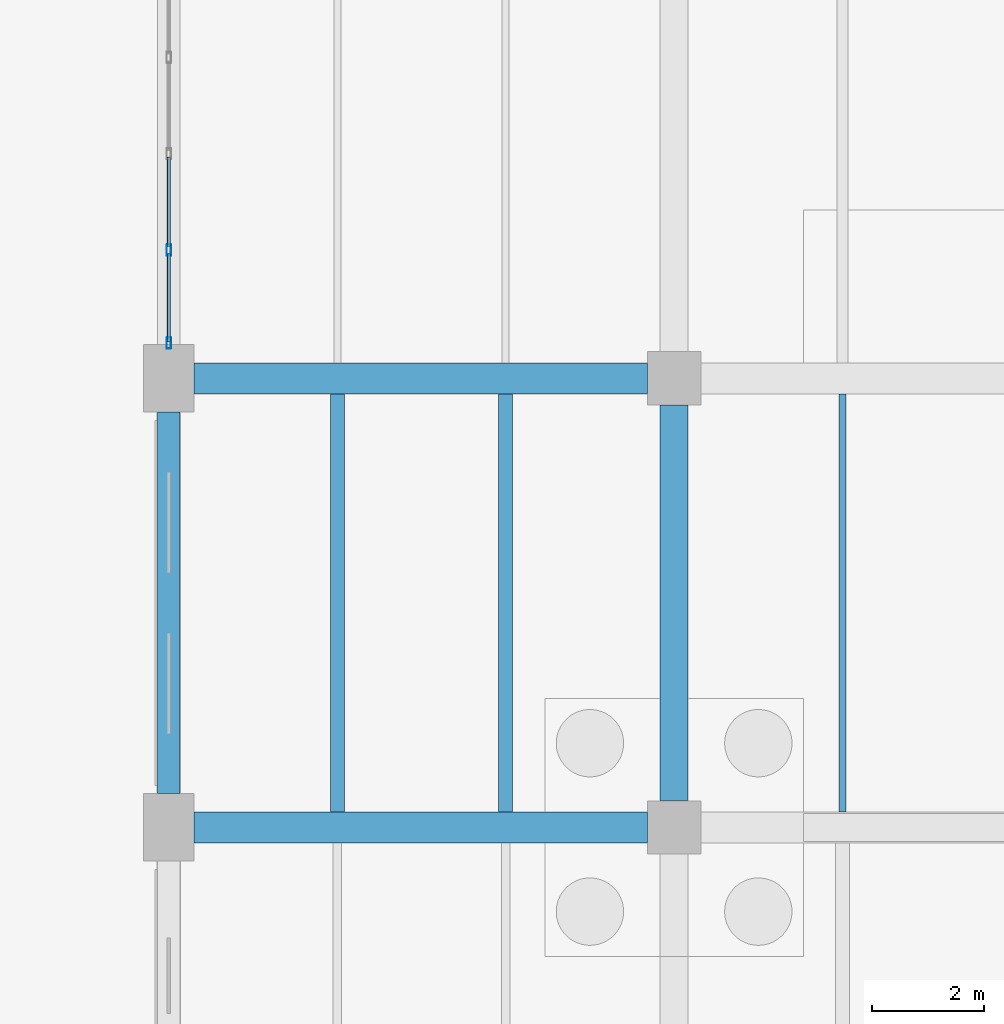
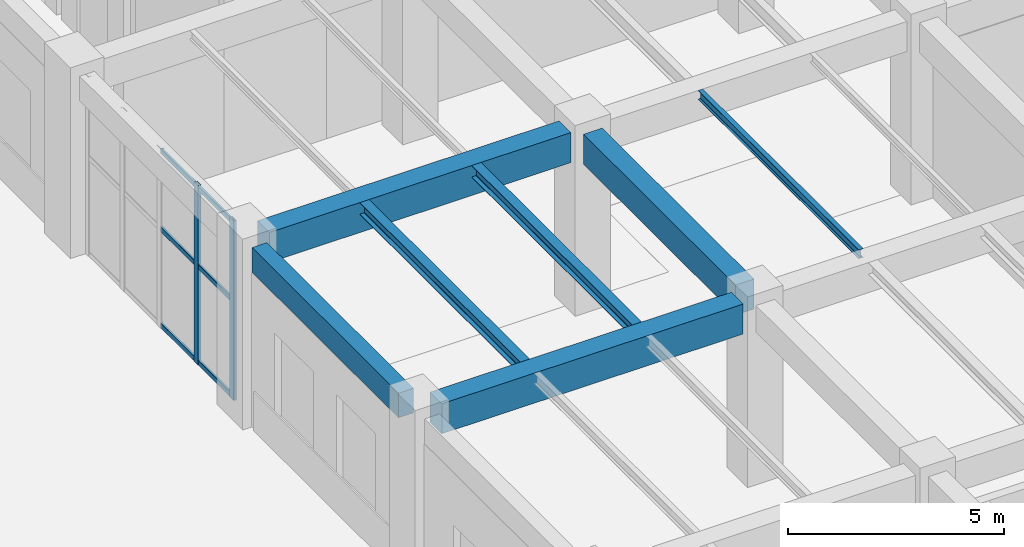
# One storey, part 66 of 121: 8 members, 7 beams, 1 element without a shape of its own.
"""IFC4 building model written with IfcOpenShell, lengths in metres."""

from ifc_helpers import new_model, si_unit, derived_unit, direction, frame, origin, origin_2d, place, context, subcontext, project, spatial, rectangle, hollow_rectangle, i_section, extrude, material, material_profile, profile_set, type_object, element, aggregate, save


model = new_model("IFC4")

# Units and contexts
model_context = context("Model", 3, precision=1e-05, world=origin(), true_north=direction((0.0, 1.0)))
body_context = subcontext(model_context, "Body", "Model", "MODEL_VIEW")
ifc_project = project(units=[si_unit("LENGTHUNIT", "METRE"), si_unit("AREAUNIT", "SQUARE_METRE"), si_unit("VOLUMEUNIT", "CUBIC_METRE"), si_unit("PLANEANGLEUNIT", "RADIAN"), si_unit("MASSUNIT", "GRAM", prefix="KILO"), derived_unit("THERMALTRANSMITTANCEUNIT", [(si_unit("MASSUNIT", "GRAM", prefix="KILO"), 1), (si_unit("TIMEUNIT", "SECOND"), -3), (si_unit("THERMODYNAMICTEMPERATUREUNIT", "KELVIN"), -1)])], contexts=[model_context])

# Site, building, storey
site_placement = place(None, origin())
site = spatial("IfcSite", under=ifc_project, at=site_placement, CompositionType="ELEMENT")
building_placement = place(site_placement, origin())
building = spatial("IfcBuilding", under=site, at=building_placement, Name="Zhenchuan Archway Interchange", CompositionType="ELEMENT")
storey_placement = place(building_placement, origin())
storey = spatial("IfcBuildingStorey", under=building, at=storey_placement, Name="L00", CompositionType="ELEMENT", Elevation=0.0)

# Beams
ifc_material_1 = material(Name="Concrete C40", Category="concrete")
ifc_material_profile_1 = material_profile(ifc_material_1, rectangle(XDim=0.5, YDim=0.85009765625, at=origin_2d()), Name="RC 500x850")
ifc_profile_set_1 = profile_set([ifc_material_profile_1], Name="Concrete C40")
beam_type_1 = type_object("IfcBeamType", Name="BM_RC_500x850", PredefinedType="BEAM", material=ifc_profile_set_1)
beam_1_placement = place(storey_placement, frame((153.0, 32.47509765625, 4.655029296875), z_axis=(0.0, 1.0, 0.0), x_axis=(-1.0, 0.0, 0.0)))
element("IfcBeam", 1, at=beam_1_placement, inside=storey, type_object=beam_type_1, Name="Beam 18:E-F (L00)", PredefinedType="BEAM", context=body_context, shape_type="SweptSolid", body=[
    extrude(rectangle(XDim=0.5, YDim=0.85009765625, at=origin_2d()), origin(), (0.0, 0.0, 1.0), 7.0498046875),
])
ifc_material_profile_2 = material_profile(ifc_material_1, rectangle(XDim=0.550048828125, YDim=0.85009765625, at=origin_2d()), Name="RC 550x850")
ifc_profile_set_2 = profile_set([ifc_material_profile_2], Name="Concrete C40")
beam_type_2 = type_object("IfcBeamType", Name="BM_RC_550x850", PredefinedType="BEAM", material=ifc_profile_set_2)
for number, where, z_axis, x_axis, name in (
    (2, (144.449951171875, 32.0, 4.655029296875), (1.0, 0.0, 0.0), (0.0, 1.0, 0.0), "Beam E:17-18 (L00)"),
    (3, (144.449951171875, 40.0, 4.655029296875), (1.0, 0.0, 0.0), (0.0, 1.0, 0.0), "Beam F:17-18 (L00)"),
):
    element("IfcBeam", number, at=place(storey_placement, frame(where, z_axis=z_axis, x_axis=x_axis)), inside=storey, type_object=beam_type_2, Name=name, PredefinedType="BEAM", context=body_context, shape_type="SweptSolid", body=[
        extrude(rectangle(XDim=0.550048828125, YDim=0.85009765625, at=origin_2d()), origin(), (0.0, 0.0, 1.0), 8.074951171875),
    ])

# Curtain wall, members
ifc_material_2 = material(Name="Anodised Aluminium", Category="aluminium")
curtain_wall_type = type_object("IfcCurtainWallType", Name="CW_UNIT_2", PredefinedType="NOTDEFINED", material=ifc_material_2)
curtain_wall_placement = place(storey_placement, origin())
curtain_wall = element("IfcCurtainWall", 4, at=curtain_wall_placement, inside=storey, type_object=curtain_wall_type, Name="Unitised curtain wall CW:L00:021", PredefinedType="NOTDEFINED")
ifc_material_profile_3 = material_profile(ifc_material_2, hollow_rectangle(XDim=0.080078125, YDim=0.199951171875, WallThickness=0.00439453125, InnerFilletRadius=0.00439453125, OuterFilletRadius=0.009033203125, at=origin_2d()), Name="ALU 200x80x4.5")
ifc_profile_set_3 = profile_set([ifc_material_profile_3], Name="Anodised Aluminium")
member_type_1 = type_object("IfcMemberType", Name="CW_MUL_200", PredefinedType="MULLION", material=ifc_profile_set_3)
member_1_placement = place(storey_placement, frame((144.0, 40.6279296875, 0.0), z_axis=(0.0, 0.0, 1.0), x_axis=(1.0, 0.0, 0.0)))
member_1 = element("IfcMember", 5, at=member_1_placement, type_object=member_type_1, Name="CW:L00:021 mullion 0", PredefinedType="MULLION", context=body_context, shape_type="SweptSolid", body=[
    extrude(hollow_rectangle(XDim=0.080078125, YDim=0.199951171875, WallThickness=0.00439453125, InnerFilletRadius=0.00439453125, OuterFilletRadius=0.009033203125, at=origin_2d()), origin(), (0.0, 0.0, 1.0), 5.080078125),
])
member_2_placement = place(storey_placement, frame((144.0, 42.283935546875, 0.0), z_axis=(0.0, 0.0, 1.0), x_axis=(1.0, 0.0, 0.0)))
member_2 = element("IfcMember", 6, at=member_2_placement, type_object=member_type_1, Name="CW:L00:021 mullion 1", PredefinedType="MULLION", context=body_context, shape_type="SweptSolid", body=[
    extrude(hollow_rectangle(XDim=0.080078125, YDim=0.199951171875, WallThickness=0.00439453125, InnerFilletRadius=0.00439453125, OuterFilletRadius=0.009033203125, at=origin_2d()), origin(), (0.0, 0.0, 1.0), 5.080078125),
])
ifc_material_profile_4 = material_profile(ifc_material_2, hollow_rectangle(XDim=0.06005859375, YDim=0.139892578125, WallThickness=0.00341796875, InnerFilletRadius=0.00341796875, OuterFilletRadius=0.007080078125, at=origin_2d()), Name="ALU 140x60x3.5")
ifc_profile_set_4 = profile_set([ifc_material_profile_4], Name="Anodised Aluminium")
member_type_2 = type_object("IfcMemberType", Name="CW_TRN_140", PredefinedType="USERDEFINED", material=ifc_profile_set_4)
member_3_placement = place(storey_placement, frame((144.0, 40.64794921875, 0.06005859375), z_axis=(0.0, 1.0, 0.0), x_axis=(-1.0, 0.0, 0.0)))
member_3 = element("IfcMember", 7, at=member_3_placement, type_object=member_type_2, Name="CW:L00:021 transom 0-1", ObjectType="TRANSOM", PredefinedType="USERDEFINED", context=body_context, shape_type="SweptSolid", body=[
    extrude(hollow_rectangle(XDim=0.06005859375, YDim=0.139892578125, WallThickness=0.00341796875, InnerFilletRadius=0.00341796875, OuterFilletRadius=0.007080078125, at=origin_2d()), origin(), (0.0, 0.0, 1.0), 1.576171875),
])
member_4_placement = place(storey_placement, frame((144.0, 40.64794921875, 2.782958984375), z_axis=(0.0, 1.0, 0.0), x_axis=(-1.0, 0.0, 0.0)))
member_4 = element("IfcMember", 8, at=member_4_placement, type_object=member_type_2, Name="CW:L00:021 transom 0-2", ObjectType="TRANSOM", PredefinedType="USERDEFINED", context=body_context, shape_type="SweptSolid", body=[
    extrude(hollow_rectangle(XDim=0.06005859375, YDim=0.139892578125, WallThickness=0.00341796875, InnerFilletRadius=0.00341796875, OuterFilletRadius=0.007080078125, at=origin_2d()), origin(), (0.0, 0.0, 1.0), 1.576171875),
])
member_5_placement = place(storey_placement, frame((144.0, 40.64794921875, 5.0), z_axis=(0.0, 1.0, 0.0), x_axis=(-1.0, 0.0, 0.0)))
member_5 = element("IfcMember", 9, at=member_5_placement, type_object=member_type_2, Name="CW:L00:021 transom 0-3", ObjectType="TRANSOM", PredefinedType="USERDEFINED", context=body_context, shape_type="SweptSolid", body=[
    extrude(hollow_rectangle(XDim=0.06005859375, YDim=0.139892578125, WallThickness=0.00341796875, InnerFilletRadius=0.00341796875, OuterFilletRadius=0.007080078125, at=origin_2d()), origin(), (0.0, 0.0, 1.0), 1.576171875),
])
member_6_placement = place(storey_placement, frame((144.0, 42.343994140625, 0.06005859375), z_axis=(0.0, 1.0, 0.0), x_axis=(-1.0, 0.0, 0.0)))
member_6 = element("IfcMember", 10, at=member_6_placement, type_object=member_type_2, Name="CW:L00:021 transom 1-1", ObjectType="TRANSOM", PredefinedType="USERDEFINED", context=body_context, shape_type="SweptSolid", body=[
    extrude(hollow_rectangle(XDim=0.06005859375, YDim=0.139892578125, WallThickness=0.00341796875, InnerFilletRadius=0.00341796875, OuterFilletRadius=0.007080078125, at=origin_2d()), origin(), (0.0, 0.0, 1.0), 1.595947265625),
])
member_7_placement = place(storey_placement, frame((144.0, 42.343994140625, 2.782958984375), z_axis=(0.0, 1.0, 0.0), x_axis=(-1.0, 0.0, 0.0)))
member_7 = element("IfcMember", 11, at=member_7_placement, type_object=member_type_2, Name="CW:L00:021 transom 1-2", ObjectType="TRANSOM", PredefinedType="USERDEFINED", context=body_context, shape_type="SweptSolid", body=[
    extrude(hollow_rectangle(XDim=0.06005859375, YDim=0.139892578125, WallThickness=0.00341796875, InnerFilletRadius=0.00341796875, OuterFilletRadius=0.007080078125, at=origin_2d()), origin(), (0.0, 0.0, 1.0), 1.595947265625),
])
member_8_placement = place(storey_placement, frame((144.0, 42.343994140625, 5.0), z_axis=(0.0, 1.0, 0.0), x_axis=(-1.0, 0.0, 0.0)))
member_8 = element("IfcMember", 12, at=member_8_placement, type_object=member_type_2, Name="CW:L00:021 transom 1-3", ObjectType="TRANSOM", PredefinedType="USERDEFINED", context=body_context, shape_type="SweptSolid", body=[
    extrude(hollow_rectangle(XDim=0.06005859375, YDim=0.139892578125, WallThickness=0.00341796875, InnerFilletRadius=0.00341796875, OuterFilletRadius=0.007080078125, at=origin_2d()), origin(), (0.0, 0.0, 1.0), 1.595947265625),
])
aggregate(curtain_wall, [member_1, member_2, member_3, member_4, member_5, member_6, member_7, member_8])

# Beams
ifc_material_3 = material(Name="Steel Q355", Category="steel")
ifc_material_profile_5 = material_profile(ifc_material_3, i_section(OverallWidth=0.25, OverallDepth=0.340087890625, WebThickness=0.009033203125, FlangeThickness=0.013916015625, FilletRadius=0.01806640625, at=origin_2d()), Name="HM 340x250")
ifc_profile_set_5 = profile_set([ifc_material_profile_5], Name="Steel Q355")
beam_type_3 = type_object("IfcBeamType", Name="JST_STL_HM340", PredefinedType="JOIST", material=ifc_profile_set_5)
for number, where, z_axis, x_axis, name in (
    (13, (147.0, 32.27490234375, 4.909912109375), (0.0, 1.0, 0.0), (-1.0, 0.0, 0.0), "Secondary joist 17-18/E-F #1 (L00)"),
    (14, (150.0, 32.27490234375, 4.909912109375), (0.0, 1.0, 0.0), (-1.0, 0.0, 0.0), "Secondary joist 17-18/E-F #2 (L00)"),
):
    element("IfcBeam", number, at=place(storey_placement, frame(where, z_axis=z_axis, x_axis=x_axis)), inside=storey, type_object=beam_type_3, Name=name, PredefinedType="JOIST", context=body_context, shape_type="SweptSolid", body=[
        extrude(i_section(OverallWidth=0.25, OverallDepth=0.340087890625, WebThickness=0.009033203125, FlangeThickness=0.013916015625, FilletRadius=0.01806640625, at=origin_2d()), origin(), (0.0, 0.0, 1.0), 7.4501953125),
    ])
ifc_material_profile_6 = material_profile(ifc_material_3, i_section(OverallWidth=0.125, OverallDepth=0.25, WebThickness=0.006103515625, FlangeThickness=0.009033203125, FilletRadius=0.011962890625, at=origin_2d()), Name="HN 250x125")
ifc_profile_set_6 = profile_set([ifc_material_profile_6], Name="Steel Q355")
beam_type_4 = type_object("IfcBeamType", Name="JST_STL_HN250", PredefinedType="JOIST", material=ifc_profile_set_6)
beam_2_placement = place(storey_placement, frame((156.0, 32.27490234375, 4.955078125), z_axis=(0.0, 1.0, 0.0), x_axis=(-1.0, 0.0, 0.0)))
element("IfcBeam", 15, at=beam_2_placement, inside=storey, type_object=beam_type_4, Name="Secondary joist 18-19/E-F #1 (L00)", PredefinedType="JOIST", context=body_context, shape_type="SweptSolid", body=[
    extrude(i_section(OverallWidth=0.125, OverallDepth=0.25, WebThickness=0.006103515625, FlangeThickness=0.009033203125, FilletRadius=0.011962890625, at=origin_2d()), origin(), (0.0, 0.0, 1.0), 7.4501953125),
])
ifc_material_profile_7 = material_profile(ifc_material_1, rectangle(XDim=0.39990234375, YDim=0.699951171875, at=origin_2d()), Name="RC 400x700")
ifc_profile_set_7 = profile_set([ifc_material_profile_7], Name="Concrete C40")
beam_type_5 = type_object("IfcBeamType", Name="SP_RC_400x700", PredefinedType="SPANDREL", material=ifc_profile_set_7)
beam_3_placement = place(storey_placement, frame((144.0, 32.60009765625, 4.72998046875), z_axis=(0.0, 1.0, 0.0), x_axis=(-1.0, 0.0, 0.0)))
element("IfcBeam", 16, at=beam_3_placement, inside=storey, type_object=beam_type_5, Name="Beam 17:E-F (L00)", PredefinedType="SPANDREL", context=body_context, shape_type="SweptSolid", body=[
    extrude(rectangle(XDim=0.39990234375, YDim=0.699951171875, at=origin_2d()), origin(), (0.0, 0.0, 1.0), 6.7998046875),
])

save(model, "model.ifc")
